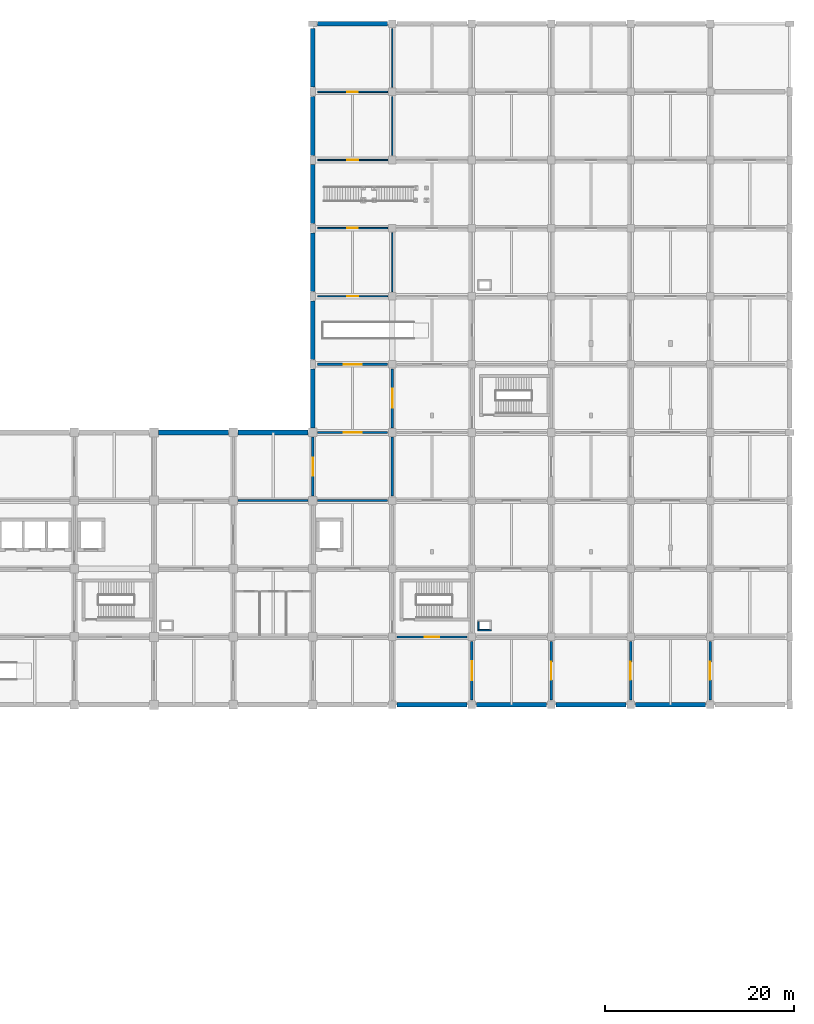
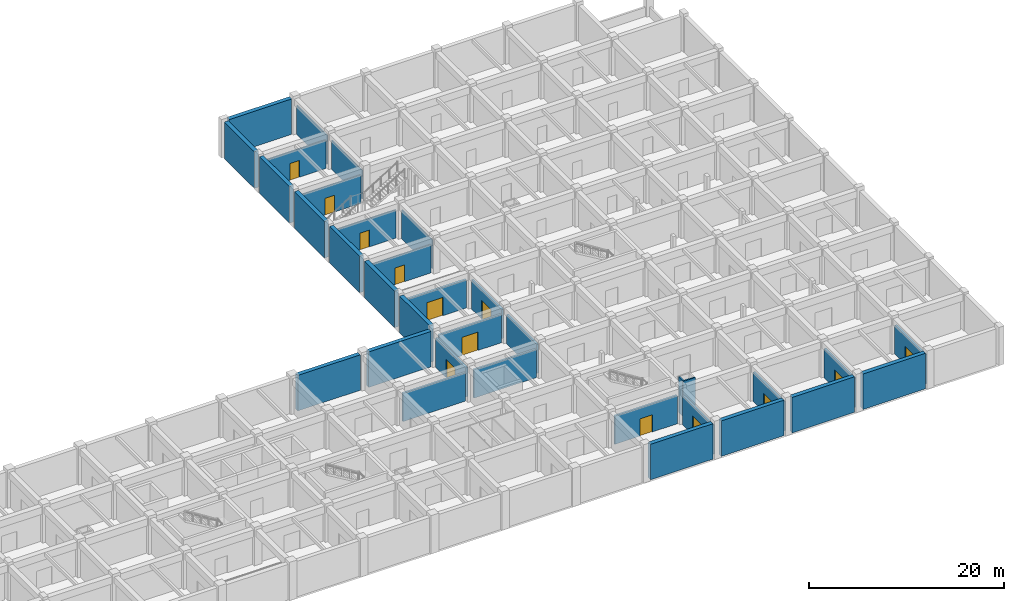
# One storey, part 25 of 32: 34 walls, 13 doors, 13 openings.
"""IFC4 building model written with IfcOpenShell, lengths in metres."""

from ifc_helpers import new_model, si_unit, derived_unit, direction, frame, frame_2d, origin, place, context, subcontext, project, spatial, rectangle, extrude, material, layer, layer_set, type_object, element, fill, save


model = new_model("IFC4")

# Units and contexts
model_context = context("Model", 3, precision=1e-05, world=origin(), true_north=direction((0.0, 1.0)))
body_context = subcontext(model_context, "Body", "Model", "MODEL_VIEW")
ifc_project = project(units=[si_unit("LENGTHUNIT", "METRE"), si_unit("AREAUNIT", "SQUARE_METRE"), si_unit("VOLUMEUNIT", "CUBIC_METRE"), si_unit("PLANEANGLEUNIT", "RADIAN"), si_unit("MASSUNIT", "GRAM", prefix="KILO"), derived_unit("THERMALTRANSMITTANCEUNIT", [(si_unit("MASSUNIT", "GRAM", prefix="KILO"), 1), (si_unit("TIMEUNIT", "SECOND"), -3), (si_unit("THERMODYNAMICTEMPERATUREUNIT", "KELVIN"), -1)])], contexts=[model_context])

# Site, building, storey
site_placement = place(None, origin())
site = spatial("IfcSite", under=ifc_project, at=site_placement, CompositionType="ELEMENT")
building_placement = place(site_placement, origin())
building = spatial("IfcBuilding", under=site, at=building_placement, Name="Veldstrom Oceanarium and Marine Research Institute", CompositionType="ELEMENT")
storey_placement = place(building_placement, frame((0.0, 0.0, -4.800048828125)))
storey = spatial("IfcBuildingStorey", under=building, at=storey_placement, Name="B01", CompositionType="ELEMENT", Elevation=-4.800048828125)

# Walls
ifc_material_1 = material(Name="Masonry Fire Compartment Wall", Category="masonry")
ifc_layer_1 = layer(ifc_material_1, 0.22998046875)
ifc_layer_set_1 = layer_set([ifc_layer_1], Name="ARC-WAL-PT1")
wall_type_1 = type_object("IfcWallType", Name="ARC-WAL-PT1", PredefinedType="PARTITIONING", material=ifc_layer_set_1)
wall_1_placement = place(storey_placement, frame((109.699951171875, 64.800048828125, 0.0), z_axis=(0.0, 0.0, 1.0), x_axis=(1.0, 0.0, 0.0)))
element("IfcWall", 1, at=wall_1_placement, inside=storey, type_object=wall_type_1, Name="Interior Partition PT1 B01-0463", PredefinedType="PARTITIONING", context=body_context, shape_type="SweptSolid", body=[
    extrude(rectangle(XDim=7.400146484375, YDim=0.22998046875, at=frame_2d((3.7001953125, 0.0))), origin(), (0.0, 0.0, 1.0), 3.545166015625),
])
wall_2_placement = place(storey_placement, frame((118.10009765625, 64.800048828125, 0.0), z_axis=(0.0, 0.0, 1.0), x_axis=(1.0, 0.0, 0.0)))
element("IfcWall", 2, at=wall_2_placement, inside=storey, type_object=wall_type_1, Name="Interior Partition PT1 B01-0470", PredefinedType="PARTITIONING", context=body_context, shape_type="SweptSolid", body=[
    extrude(rectangle(XDim=7.39990234375, YDim=0.22998046875, at=frame_2d((3.699951171875, 0.0))), origin(), (0.0, 0.0, 1.0), 3.545166015625),
])
wall_3_placement = place(storey_placement, frame((126.0, 65.300048828125, 0.0), z_axis=(0.0, 0.0, 1.0), x_axis=(0.0, 1.0, 0.0)))
element("IfcWall", 3, at=wall_3_placement, inside=storey, type_object=wall_type_1, Name="Interior Partition PT1 B01-0471", PredefinedType="PARTITIONING", context=body_context, shape_type="SweptSolid", body=[
    extrude(rectangle(XDim=6.199951171875, YDim=0.22998046875, at=frame_2d((3.10009765625, 0.0))), origin(), (0.0, 0.0, 1.0), 3.64501953125),
])

# Wall, opening, door
wall_4_placement = place(storey_placement, frame((118.10009765625, 72.0, 0.0), z_axis=(0.0, 0.0, 1.0), x_axis=(1.0, 0.0, 0.0)))
wall_4 = element("IfcWall", 4, at=wall_4_placement, inside=storey, type_object=wall_type_1, Name="Interior Partition PT1 B01-0472", PredefinedType="PARTITIONING", context=body_context, shape_type="SweptSolid", body=[
    extrude(rectangle(XDim=7.39990234375, YDim=0.22998046875, at=frame_2d((3.699951171875, 0.0))), origin(), (0.0, 0.0, 1.0), 3.545166015625),
])
opening_1_placement = place(wall_4_placement, frame((2.75, 0.0, 0.0)))
opening_1 = element("IfcOpeningElement", 5, at=opening_1_placement, cuts=wall_4, Name="Opening D-B01-274", PredefinedType="OPENING", context=body_context, shape_type="SweptSolid", body=[
    extrude(rectangle(XDim=1.89990234375, YDim=2.300048828125, at=frame_2d((0.949951171875, 1.14990234375))), frame((0.0, 0.125, 0.0), z_axis=(0.0, -1.0, 0.0), x_axis=(1.0, 0.0, 0.0)), (0.0, 0.0, 1.0), 0.25),
])
ifc_material_2 = material(Name="Plant Hall Equipment Door", Category="steel")
door_type_1 = type_object("IfcDoorType", Name="ARC-DOR-ID12", OperationType="DOUBLE_DOOR_SINGLE_SWING", PredefinedType="DOOR", material=ifc_material_2)
door_1_placement = place(opening_1_placement, origin())
door_1 = element("IfcDoor", 6, at=door_1_placement, inside=storey, type_object=door_type_1, Name="Interior Door D-B01-274", OperationType="DOUBLE_DOOR_SINGLE_SWING", OverallHeight=2.300048828125, OverallWidth=1.89990234375, PredefinedType="DOOR", context=body_context, shape_type="SweptSolid", body=[
    extrude(rectangle(XDim=1.89990234375, YDim=2.300048828125, at=frame_2d((0.949951171875, 1.14990234375))), frame((0.0, 0.02490234375, 0.0), z_axis=(0.0, -1.0, 0.0), x_axis=(1.0, 0.0, 0.0)), (0.0, 0.0, 1.0), 0.050048828125),
])
fill(opening_1, door_1)

wall_5_placement = place(storey_placement, frame((134.39990234375, 43.699951171875, 0.0), z_axis=(0.0, 0.0, 1.0), x_axis=(0.0, 1.0, 0.0)))
wall_5 = element("IfcWall", 7, at=wall_5_placement, inside=storey, type_object=wall_type_1, Name="Interior Partition PT1 B01-0482", PredefinedType="PARTITIONING", context=body_context, shape_type="SweptSolid", body=[
    extrude(rectangle(XDim=6.199951171875, YDim=0.22998046875, at=frame_2d((3.10009765625, 0.0))), origin(), (0.0, 0.0, 1.0), 3.64501953125),
])
opening_2_placement = place(wall_5_placement, frame((2.10009765625, 0.0, 0.0)))
opening_2 = element("IfcOpeningElement", 8, at=opening_2_placement, cuts=wall_5, Name="Opening D-B01-281", PredefinedType="OPENING", context=body_context, shape_type="SweptSolid", body=[
    extrude(rectangle(XDim=2.0, YDim=2.35009765625, at=frame_2d((1.0, 1.175048828125))), frame((0.0, 0.125, 0.0), z_axis=(0.0, -1.0, 0.0), x_axis=(1.0, 0.0, 0.0)), (0.0, 0.0, 1.0), 0.25),
])
ifc_material_3 = material(Name="Filtration Hall Double Door", Category="steel")
door_type_2 = type_object("IfcDoorType", Name="ARC-DOR-ID18", OperationType="DOUBLE_DOOR_SINGLE_SWING", PredefinedType="DOOR", material=ifc_material_3)
door_2_placement = place(opening_2_placement, frame((2.0, 0.0, 0.0), z_axis=(0.0, 0.0, 1.0), x_axis=(-1.0, 0.0, 0.0)))
door_2 = element("IfcDoor", 9, at=door_2_placement, inside=storey, type_object=door_type_2, Name="Interior Door D-B01-281", OperationType="DOUBLE_DOOR_SINGLE_SWING", OverallHeight=2.35009765625, OverallWidth=2.0, PredefinedType="DOOR", context=body_context, shape_type="SweptSolid", body=[
    extrude(rectangle(XDim=2.0, YDim=2.35009765625, at=frame_2d((1.0, 1.175048828125))), frame((0.0, 0.02490234375, 0.0), z_axis=(0.0, -1.0, 0.0), x_axis=(1.0, 0.0, 0.0)), (0.0, 0.0, 1.0), 0.050048828125),
])
fill(opening_2, door_2)

wall_6_placement = place(storey_placement, frame((126.5, 50.39990234375, 0.0), z_axis=(0.0, 0.0, 1.0), x_axis=(1.0, 0.0, 0.0)))
wall_6 = element("IfcWall", 10, at=wall_6_placement, inside=storey, type_object=wall_type_1, Name="Interior Partition PT1 B01-0483", PredefinedType="PARTITIONING", context=body_context, shape_type="SweptSolid", body=[
    extrude(rectangle(XDim=7.39990234375, YDim=0.22998046875, at=frame_2d((3.699951171875, 0.0))), origin(), (0.0, 0.0, 1.0), 3.545166015625),
])
opening_3_placement = place(wall_6_placement, frame((2.949951171875, 0.0, 0.0)))
opening_3 = element("IfcOpeningElement", 11, at=opening_3_placement, cuts=wall_6, Name="Opening D-B01-282", PredefinedType="OPENING", context=body_context, shape_type="SweptSolid", body=[
    extrude(rectangle(XDim=1.5, YDim=2.14990234375, at=frame_2d((0.75, 1.074951171875))), frame((0.0, 0.125, 0.0), z_axis=(0.0, -1.0, 0.0), x_axis=(1.0, 0.0, 0.0)), (0.0, 0.0, 1.0), 0.25),
])
ifc_material_4 = material(Name="Painted Steel Lobby Fire Door", Category="steel")
door_type_3 = type_object("IfcDoorType", Name="ARC-DOR-SD2", OperationType="DOUBLE_DOOR_SINGLE_SWING", PredefinedType="DOOR", material=ifc_material_4)
door_3_placement = place(opening_3_placement, frame((1.5, 0.0, 0.0), z_axis=(0.0, 0.0, 1.0), x_axis=(-1.0, 0.0, 0.0)))
door_3 = element("IfcDoor", 12, at=door_3_placement, inside=storey, type_object=door_type_3, Name="Interior Door D-B01-282", OperationType="DOUBLE_DOOR_SINGLE_SWING", OverallHeight=2.14990234375, OverallWidth=1.5, PredefinedType="DOOR", context=body_context, shape_type="SweptSolid", body=[
    extrude(rectangle(XDim=1.5, YDim=2.14990234375, at=frame_2d((0.75, 1.074951171875))), frame((0.0, 0.02490234375, 0.0), z_axis=(0.0, -1.0, 0.0), x_axis=(1.0, 0.0, 0.0)), (0.0, 0.0, 1.0), 0.050048828125),
])
fill(opening_3, door_3)

wall_7_placement = place(storey_placement, frame((151.199951171875, 43.699951171875, 0.0), z_axis=(0.0, 0.0, 1.0), x_axis=(0.0, 1.0, 0.0)))
wall_7 = element("IfcWall", 13, at=wall_7_placement, inside=storey, type_object=wall_type_1, Name="Interior Partition PT1 B01-0520", PredefinedType="PARTITIONING", context=body_context, shape_type="SweptSolid", body=[
    extrude(rectangle(XDim=6.199951171875, YDim=0.22998046875, at=frame_2d((3.10009765625, 0.0))), origin(), (0.0, 0.0, 1.0), 3.64501953125),
])
opening_4_placement = place(wall_7_placement, frame((2.14990234375, 0.0, 0.0)))
opening_4 = element("IfcOpeningElement", 14, at=opening_4_placement, cuts=wall_7, Name="Opening D-B01-302", PredefinedType="OPENING", context=body_context, shape_type="SweptSolid", body=[
    extrude(rectangle(XDim=1.89990234375, YDim=2.300048828125, at=frame_2d((0.949951171875, 1.14990234375))), frame((0.0, 0.125, 0.0), z_axis=(0.0, -1.0, 0.0), x_axis=(1.0, 0.0, 0.0)), (0.0, 0.0, 1.0), 0.25),
])
door_4_placement = place(opening_4_placement, frame((1.89990234375, 0.0, 0.0), z_axis=(0.0, 0.0, 1.0), x_axis=(-1.0, 0.0, 0.0)))
door_4 = element("IfcDoor", 15, at=door_4_placement, inside=storey, type_object=door_type_1, Name="Interior Door D-B01-302", OperationType="DOUBLE_DOOR_SINGLE_SWING", OverallHeight=2.300048828125, OverallWidth=1.89990234375, PredefinedType="DOOR", context=body_context, shape_type="SweptSolid", body=[
    extrude(rectangle(XDim=1.89990234375, YDim=2.300048828125, at=frame_2d((0.949951171875, 1.14990234375))), frame((0.0, 0.02490234375, 0.0), z_axis=(0.0, -1.0, 0.0), x_axis=(1.0, 0.0, 0.0)), (0.0, 0.0, 1.0), 0.050048828125),
])
fill(opening_4, door_4)

ifc_material_5 = material(Name="Drywall Corridor Partition", Category="gypsum")
ifc_layer_2 = layer(ifc_material_5, 0.155029296875)
ifc_layer_set_2 = layer_set([ifc_layer_2], Name="ARC-WAL-PT4")
wall_type_2 = type_object("IfcWallType", Name="ARC-WAL-PT4", PredefinedType="PARTITIONING", material=ifc_layer_set_2)
wall_8_placement = place(storey_placement, frame((118.10009765625, 93.60009765625, 0.0), z_axis=(0.0, 0.0, 1.0), x_axis=(1.0, 0.0, 0.0)))
wall_8 = element("IfcWall", 16, at=wall_8_placement, inside=storey, type_object=wall_type_2, Name="Interior Partition PT4 B01-0477", PredefinedType="PARTITIONING", context=body_context, shape_type="SweptSolid", body=[
    extrude(rectangle(XDim=7.39990234375, YDim=0.155029296875, at=frame_2d((3.699951171875, 0.0))), origin(), (0.0, 0.0, 1.0), 3.545166015625),
])
opening_5_placement = place(wall_8_placement, frame((3.14990234375, 0.0, 0.0)))
opening_5 = element("IfcOpeningElement", 17, at=opening_5_placement, cuts=wall_8, Name="Opening D-B01-278", PredefinedType="OPENING", context=body_context, shape_type="SweptSolid", body=[
    extrude(rectangle(XDim=1.10009765625, YDim=2.10009765625, at=frame_2d((0.550048828125, 1.050048828125))), frame((0.0, 0.08740234375, 0.0), z_axis=(0.0, -1.0, 0.0), x_axis=(1.0, 0.0, 0.0)), (0.0, 0.0, 1.0), 0.175048828125),
])
ifc_material_6 = material(Name="Research Office Door", Category="timber")
door_type_4 = type_object("IfcDoorType", Name="ARC-DOR-ID07", OperationType="SINGLE_SWING_LEFT", PredefinedType="DOOR", material=ifc_material_6)
door_5_placement = place(opening_5_placement, frame((1.10009765625, 0.0, 0.0), z_axis=(0.0, 0.0, 1.0), x_axis=(-1.0, 0.0, 0.0)))
door_5 = element("IfcDoor", 18, at=door_5_placement, inside=storey, type_object=door_type_4, Name="Interior Door D-B01-278", OperationType="SINGLE_SWING_LEFT", OverallHeight=2.10009765625, OverallWidth=1.10009765625, PredefinedType="DOOR", context=body_context, shape_type="SweptSolid", body=[
    extrude(rectangle(XDim=1.10009765625, YDim=2.10009765625, at=frame_2d((0.550048828125, 1.050048828125))), frame((0.0, 0.02490234375, 0.0), z_axis=(0.0, -1.0, 0.0), x_axis=(1.0, 0.0, 0.0)), (0.0, 0.0, 1.0), 0.050048828125),
])
fill(opening_5, door_5)

wall_9_placement = place(storey_placement, frame((118.10009765625, 108.0, 0.0), z_axis=(0.0, 0.0, 1.0), x_axis=(1.0, 0.0, 0.0)))
wall_9 = element("IfcWall", 19, at=wall_9_placement, inside=storey, type_object=wall_type_2, Name="Interior Partition PT4 B01-0480", PredefinedType="PARTITIONING", context=body_context, shape_type="SweptSolid", body=[
    extrude(rectangle(XDim=7.39990234375, YDim=0.155029296875, at=frame_2d((3.699951171875, 0.0))), origin(), (0.0, 0.0, 1.0), 3.545166015625),
])
opening_6_placement = place(wall_9_placement, frame((3.14990234375, 0.0, 0.0)))
opening_6 = element("IfcOpeningElement", 20, at=opening_6_placement, cuts=wall_9, Name="Opening D-B01-280", PredefinedType="OPENING", context=body_context, shape_type="SweptSolid", body=[
    extrude(rectangle(XDim=1.10009765625, YDim=2.10009765625, at=frame_2d((0.550048828125, 1.050048828125))), frame((0.0, 0.08740234375, 0.0), z_axis=(0.0, -1.0, 0.0), x_axis=(1.0, 0.0, 0.0)), (0.0, 0.0, 1.0), 0.175048828125),
])
door_6_placement = place(opening_6_placement, frame((1.10009765625, 0.0, 0.0), z_axis=(0.0, 0.0, 1.0), x_axis=(-1.0, 0.0, 0.0)))
door_6 = element("IfcDoor", 21, at=door_6_placement, inside=storey, type_object=door_type_4, Name="Interior Door D-B01-280", OperationType="SINGLE_SWING_LEFT", OverallHeight=2.10009765625, OverallWidth=1.10009765625, PredefinedType="DOOR", context=body_context, shape_type="SweptSolid", body=[
    extrude(rectangle(XDim=1.10009765625, YDim=2.10009765625, at=frame_2d((0.550048828125, 1.050048828125))), frame((0.0, 0.02490234375, 0.0), z_axis=(0.0, -1.0, 0.0), x_axis=(1.0, 0.0, 0.0)), (0.0, 0.0, 1.0), 0.050048828125),
])
fill(opening_6, door_6)

ifc_material_7 = material(Name="Moisture-Resistant Wet-Area Partition", Category="masonry")
ifc_layer_3 = layer(ifc_material_7, 0.139892578125)
ifc_layer_set_3 = layer_set([ifc_layer_3], Name="ARC-WAL-PT5")
wall_type_3 = type_object("IfcWallType", Name="ARC-WAL-PT5", PredefinedType="PARTITIONING", material=ifc_layer_set_3)
wall_10_placement = place(storey_placement, frame((118.10009765625, 86.39990234375, 0.0), z_axis=(0.0, 0.0, 1.0), x_axis=(1.0, 0.0, 0.0)))
wall_10 = element("IfcWall", 22, at=wall_10_placement, inside=storey, type_object=wall_type_3, Name="Interior Partition PT5 B01-0475", PredefinedType="PARTITIONING", context=body_context, shape_type="SweptSolid", body=[
    extrude(rectangle(XDim=7.39990234375, YDim=0.139892578125, at=frame_2d((3.699951171875, 0.0))), origin(), (0.0, 0.0, 1.0), 3.545166015625),
])
opening_7_placement = place(wall_10_placement, frame((3.125, 0.0, 0.0)))
opening_7 = element("IfcOpeningElement", 23, at=opening_7_placement, cuts=wall_10, Name="Opening D-B01-277", PredefinedType="OPENING", context=body_context, shape_type="SweptSolid", body=[
    extrude(rectangle(XDim=1.14990234375, YDim=2.10009765625, at=frame_2d((0.574951171875, 1.050048828125))), frame((0.0, 0.079833984375, 0.0), z_axis=(0.0, -1.0, 0.0), x_axis=(1.0, 0.0, 0.0)), (0.0, 0.0, 1.0), 0.159912109375),
])
ifc_material_8 = material(Name="Fellows Studio Door", Category="timber")
door_type_5 = type_object("IfcDoorType", Name="ARC-DOR-ID17", OperationType="SINGLE_SWING_LEFT", PredefinedType="DOOR", material=ifc_material_8)
door_7_placement = place(opening_7_placement, origin())
door_7 = element("IfcDoor", 24, at=door_7_placement, inside=storey, type_object=door_type_5, Name="Interior Door D-B01-277", OperationType="SINGLE_SWING_LEFT", OverallHeight=2.10009765625, OverallWidth=1.14990234375, PredefinedType="DOOR", context=body_context, shape_type="SweptSolid", body=[
    extrude(rectangle(XDim=1.14990234375, YDim=2.10009765625, at=frame_2d((0.574951171875, 1.050048828125))), frame((0.0, 0.02490234375, 0.0), z_axis=(0.0, -1.0, 0.0), x_axis=(1.0, 0.0, 0.0)), (0.0, 0.0, 1.0), 0.050048828125),
])
fill(opening_7, door_7)

wall_11_placement = place(storey_placement, frame((118.10009765625, 100.800048828125, 0.0), z_axis=(0.0, 0.0, 1.0), x_axis=(1.0, 0.0, 0.0)))
wall_11 = element("IfcWall", 25, at=wall_11_placement, inside=storey, type_object=wall_type_3, Name="Interior Partition PT5 B01-0478", PredefinedType="PARTITIONING", context=body_context, shape_type="SweptSolid", body=[
    extrude(rectangle(XDim=7.39990234375, YDim=0.139892578125, at=frame_2d((3.699951171875, 0.0))), origin(), (0.0, 0.0, 1.0), 3.545166015625),
])
opening_8_placement = place(wall_11_placement, frame((3.125, 0.0, 0.0)))
opening_8 = element("IfcOpeningElement", 26, at=opening_8_placement, cuts=wall_11, Name="Opening D-B01-279", PredefinedType="OPENING", context=body_context, shape_type="SweptSolid", body=[
    extrude(rectangle(XDim=1.14990234375, YDim=2.10009765625, at=frame_2d((0.574951171875, 1.050048828125))), frame((0.0, 0.079833984375, 0.0), z_axis=(0.0, -1.0, 0.0), x_axis=(1.0, 0.0, 0.0)), (0.0, 0.0, 1.0), 0.159912109375),
])
door_8_placement = place(opening_8_placement, origin())
door_8 = element("IfcDoor", 27, at=door_8_placement, inside=storey, type_object=door_type_5, Name="Interior Door D-B01-279", OperationType="SINGLE_SWING_LEFT", OverallHeight=2.10009765625, OverallWidth=1.14990234375, PredefinedType="DOOR", context=body_context, shape_type="SweptSolid", body=[
    extrude(rectangle(XDim=1.14990234375, YDim=2.10009765625, at=frame_2d((0.574951171875, 1.050048828125))), frame((0.0, 0.02490234375, 0.0), z_axis=(0.0, -1.0, 0.0), x_axis=(1.0, 0.0, 0.0)), (0.0, 0.0, 1.0), 0.050048828125),
])
fill(opening_8, door_8)

# Walls
ifc_material_9 = material(Name="Lightweight Studio Partition", Category="gypsum")
ifc_layer_4 = layer(ifc_material_9, 0.1201171875)
ifc_layer_set_4 = layer_set([ifc_layer_4], Name="ARC-WAL-PT6")
wall_type_4 = type_object("IfcWallType", Name="ARC-WAL-PT6", PredefinedType="PARTITIONING", material=ifc_layer_set_4)
wall_12_placement = place(storey_placement, frame((126.0, 86.89990234375, 0.0), z_axis=(0.0, 0.0, 1.0), x_axis=(0.0, 1.0, 0.0)))
element("IfcWall", 28, at=wall_12_placement, inside=storey, type_object=wall_type_4, Name="Interior Partition PT6 B01-0476", PredefinedType="PARTITIONING", context=body_context, shape_type="SweptSolid", body=[
    extrude(rectangle(XDim=6.2001953125, YDim=0.1201171875, at=frame_2d((3.10009765625, 0.0))), origin(), (0.0, 0.0, 1.0), 3.64501953125),
])
for number, where, z_axis, x_axis, name in (
    (29, (126.0, 101.300048828125, 0.0), (0.0, 0.0, 1.0), (0.0, 1.0, 0.0), "Interior Partition PT6 B01-0479"),
    (30, (126.0, 108.5, 0.0), (0.0, 0.0, 1.0), (0.0, 1.0, 0.0), "Interior Partition PT6 B01-0481"),
):
    element("IfcWall", number, at=place(storey_placement, frame(where, z_axis=z_axis, x_axis=x_axis)), inside=storey, type_object=wall_type_4, Name=name, PredefinedType="PARTITIONING", context=body_context, shape_type="SweptSolid", body=[
        extrude(rectangle(XDim=6.199951171875, YDim=0.1201171875, at=frame_2d((3.10009765625, 0.0))), origin(), (0.0, 0.0, 1.0), 3.64501953125),
    ])

# Wall, opening, door
ifc_material_10 = material(Name="Plant Acoustic Masonry Wall", Category="masonry")
ifc_layer_5 = layer(ifc_material_10, 0.260009765625)
ifc_layer_set_5 = layer_set([ifc_layer_5], Name="ARC-WAL-PT8")
wall_type_5 = type_object("IfcWallType", Name="ARC-WAL-PT8", PredefinedType="PARTITIONING", material=ifc_layer_set_5)
wall_13_placement = place(storey_placement, frame((117.60009765625, 65.300048828125, 0.0), z_axis=(0.0, 0.0, 1.0), x_axis=(0.0, 1.0, 0.0)))
wall_13 = element("IfcWall", 31, at=wall_13_placement, inside=storey, type_object=wall_type_5, Name="Interior Partition PT8 B01-0464", PredefinedType="PARTITIONING", context=body_context, shape_type="SweptSolid", body=[
    extrude(rectangle(XDim=6.199951171875, YDim=0.260009765625, at=frame_2d((3.10009765625, 0.0))), origin(), (0.0, 0.0, 1.0), 3.64501953125),
])
opening_9_placement = place(wall_13_placement, frame((2.14990234375, 0.0, 0.0)))
opening_9 = element("IfcOpeningElement", 32, at=opening_9_placement, cuts=wall_13, Name="Opening D-B01-270", PredefinedType="OPENING", context=body_context, shape_type="SweptSolid", body=[
    extrude(rectangle(XDim=1.89990234375, YDim=2.300048828125, at=frame_2d((0.949951171875, 1.14990234375))), frame((0.0, 0.139892578125, 0.0), z_axis=(0.0, -1.0, 0.0), x_axis=(1.0, 0.0, 0.0)), (0.0, 0.0, 1.0), 0.280029296875),
])
door_9_placement = place(opening_9_placement, origin())
door_9 = element("IfcDoor", 33, at=door_9_placement, inside=storey, type_object=door_type_1, Name="Interior Door D-B01-270", OperationType="DOUBLE_DOOR_SINGLE_SWING", OverallHeight=2.300048828125, OverallWidth=1.89990234375, PredefinedType="DOOR", context=body_context, shape_type="SweptSolid", body=[
    extrude(rectangle(XDim=1.89990234375, YDim=2.300048828125, at=frame_2d((0.949951171875, 1.14990234375))), frame((0.0, 0.02490234375, 0.0), z_axis=(0.0, -1.0, 0.0), x_axis=(1.0, 0.0, 0.0)), (0.0, 0.0, 1.0), 0.050048828125),
])
fill(opening_9, door_9)

wall_14_placement = place(storey_placement, frame((126.0, 72.5, 0.0), z_axis=(0.0, 0.0, 1.0), x_axis=(0.0, 1.0, 0.0)))
wall_14 = element("IfcWall", 34, at=wall_14_placement, inside=storey, type_object=wall_type_5, Name="Interior Partition PT8 B01-0473", PredefinedType="PARTITIONING", context=body_context, shape_type="SweptSolid", body=[
    extrude(rectangle(XDim=6.199951171875, YDim=0.260009765625, at=frame_2d((3.10009765625, 0.0))), origin(), (0.0, 0.0, 1.0), 3.64501953125),
])
opening_10_placement = place(wall_14_placement, frame((2.10009765625, 0.0, 0.0)))
opening_10 = element("IfcOpeningElement", 35, at=opening_10_placement, cuts=wall_14, Name="Opening D-B01-275", PredefinedType="OPENING", context=body_context, shape_type="SweptSolid", body=[
    extrude(rectangle(XDim=2.0, YDim=2.35009765625, at=frame_2d((1.0, 1.175048828125))), frame((0.0, 0.139892578125, 0.0), z_axis=(0.0, -1.0, 0.0), x_axis=(1.0, 0.0, 0.0)), (0.0, 0.0, 1.0), 0.280029296875),
])
door_10_placement = place(opening_10_placement, origin())
door_10 = element("IfcDoor", 36, at=door_10_placement, inside=storey, type_object=door_type_2, Name="Interior Door D-B01-275", OperationType="DOUBLE_DOOR_SINGLE_SWING", OverallHeight=2.35009765625, OverallWidth=2.0, PredefinedType="DOOR", context=body_context, shape_type="SweptSolid", body=[
    extrude(rectangle(XDim=2.0, YDim=2.35009765625, at=frame_2d((1.0, 1.175048828125))), frame((0.0, 0.02490234375, 0.0), z_axis=(0.0, -1.0, 0.0), x_axis=(1.0, 0.0, 0.0)), (0.0, 0.0, 1.0), 0.050048828125),
])
fill(opening_10, door_10)

wall_15_placement = place(storey_placement, frame((118.10009765625, 79.199951171875, 0.0), z_axis=(0.0, 0.0, 1.0), x_axis=(1.0, 0.0, 0.0)))
wall_15 = element("IfcWall", 37, at=wall_15_placement, inside=storey, type_object=wall_type_5, Name="Interior Partition PT8 B01-0474", PredefinedType="PARTITIONING", context=body_context, shape_type="SweptSolid", body=[
    extrude(rectangle(XDim=7.39990234375, YDim=0.260009765625, at=frame_2d((3.699951171875, 0.0))), origin(), (0.0, 0.0, 1.0), 3.545166015625),
])
opening_11_placement = place(wall_15_placement, frame((2.75, 0.0, 0.0)))
opening_11 = element("IfcOpeningElement", 38, at=opening_11_placement, cuts=wall_15, Name="Opening D-B01-276", PredefinedType="OPENING", context=body_context, shape_type="SweptSolid", body=[
    extrude(rectangle(XDim=1.89990234375, YDim=2.300048828125, at=frame_2d((0.949951171875, 1.14990234375))), frame((0.0, 0.139892578125, 0.0), z_axis=(0.0, -1.0, 0.0), x_axis=(1.0, 0.0, 0.0)), (0.0, 0.0, 1.0), 0.280029296875),
])
door_11_placement = place(opening_11_placement, frame((1.89990234375, 0.0, 0.0), z_axis=(0.0, 0.0, 1.0), x_axis=(-1.0, 0.0, 0.0)))
door_11 = element("IfcDoor", 39, at=door_11_placement, inside=storey, type_object=door_type_1, Name="Interior Door D-B01-276", OperationType="DOUBLE_DOOR_SINGLE_SWING", OverallHeight=2.300048828125, OverallWidth=1.89990234375, PredefinedType="DOOR", context=body_context, shape_type="SweptSolid", body=[
    extrude(rectangle(XDim=1.89990234375, YDim=2.300048828125, at=frame_2d((0.949951171875, 1.14990234375))), frame((0.0, 0.02490234375, 0.0), z_axis=(0.0, -1.0, 0.0), x_axis=(1.0, 0.0, 0.0)), (0.0, 0.0, 1.0), 0.050048828125),
])
fill(opening_11, door_11)

wall_16_placement = place(storey_placement, frame((142.800048828125, 43.699951171875, 0.0), z_axis=(0.0, 0.0, 1.0), x_axis=(0.0, 1.0, 0.0)))
wall_16 = element("IfcWall", 40, at=wall_16_placement, inside=storey, type_object=wall_type_5, Name="Interior Partition PT8 B01-0501", PredefinedType="PARTITIONING", context=body_context, shape_type="SweptSolid", body=[
    extrude(rectangle(XDim=6.199951171875, YDim=0.260009765625, at=frame_2d((3.10009765625, 0.0))), origin(), (0.0, 0.0, 1.0), 3.64501953125),
])
opening_12_placement = place(wall_16_placement, frame((2.14990234375, 0.0, 0.0)))
opening_12 = element("IfcOpeningElement", 41, at=opening_12_placement, cuts=wall_16, Name="Opening D-B01-292", PredefinedType="OPENING", context=body_context, shape_type="SweptSolid", body=[
    extrude(rectangle(XDim=1.89990234375, YDim=2.300048828125, at=frame_2d((0.949951171875, 1.14990234375))), frame((0.0, 0.139892578125, 0.0), z_axis=(0.0, -1.0, 0.0), x_axis=(1.0, 0.0, 0.0)), (0.0, 0.0, 1.0), 0.280029296875),
])
door_12_placement = place(opening_12_placement, origin())
door_12 = element("IfcDoor", 42, at=door_12_placement, inside=storey, type_object=door_type_1, Name="Interior Door D-B01-292", OperationType="DOUBLE_DOOR_SINGLE_SWING", OverallHeight=2.300048828125, OverallWidth=1.89990234375, PredefinedType="DOOR", context=body_context, shape_type="SweptSolid", body=[
    extrude(rectangle(XDim=1.89990234375, YDim=2.300048828125, at=frame_2d((0.949951171875, 1.14990234375))), frame((0.0, 0.02490234375, 0.0), z_axis=(0.0, -1.0, 0.0), x_axis=(1.0, 0.0, 0.0)), (0.0, 0.0, 1.0), 0.050048828125),
])
fill(opening_12, door_12)

wall_17_placement = place(storey_placement, frame((159.60009765625, 43.699951171875, 0.0), z_axis=(0.0, 0.0, 1.0), x_axis=(0.0, 1.0, 0.0)))
wall_17 = element("IfcWall", 43, at=wall_17_placement, inside=storey, type_object=wall_type_5, Name="Interior Partition PT8 B01-0539", PredefinedType="PARTITIONING", context=body_context, shape_type="SweptSolid", body=[
    extrude(rectangle(XDim=6.199951171875, YDim=0.260009765625, at=frame_2d((3.10009765625, 0.0))), origin(), (0.0, 0.0, 1.0), 3.64501953125),
])
opening_13_placement = place(wall_17_placement, frame((2.14990234375, 0.0, 0.0)))
opening_13 = element("IfcOpeningElement", 44, at=opening_13_placement, cuts=wall_17, Name="Opening D-B01-312", PredefinedType="OPENING", context=body_context, shape_type="SweptSolid", body=[
    extrude(rectangle(XDim=1.89990234375, YDim=2.300048828125, at=frame_2d((0.949951171875, 1.14990234375))), frame((0.0, 0.139892578125, 0.0), z_axis=(0.0, -1.0, 0.0), x_axis=(1.0, 0.0, 0.0)), (0.0, 0.0, 1.0), 0.280029296875),
])
door_13_placement = place(opening_13_placement, origin())
door_13 = element("IfcDoor", 45, at=door_13_placement, inside=storey, type_object=door_type_1, Name="Interior Door D-B01-312", OperationType="DOUBLE_DOOR_SINGLE_SWING", OverallHeight=2.300048828125, OverallWidth=1.89990234375, PredefinedType="DOOR", context=body_context, shape_type="SweptSolid", body=[
    extrude(rectangle(XDim=1.89990234375, YDim=2.300048828125, at=frame_2d((0.949951171875, 1.14990234375))), frame((0.0, 0.02490234375, 0.0), z_axis=(0.0, -1.0, 0.0), x_axis=(1.0, 0.0, 0.0)), (0.0, 0.0, 1.0), 0.050048828125),
])
fill(opening_13, door_13)

# Walls
ifc_material_11 = material(Name="Service Riser Fire Shaft Wall", Category="masonry")
ifc_layer_6 = layer(ifc_material_11, 0.1650390625)
ifc_layer_set_6 = layer_set([ifc_layer_6], Name="ARC-WAL-PT9")
wall_type_6 = type_object("IfcWallType", Name="ARC-WAL-PT9", PredefinedType="PARTITIONING", material=ifc_layer_set_6)
wall_18_placement = place(storey_placement, frame((135.034912109375, 51.117431640625, 0.0), z_axis=(0.0, 0.0, 1.0), x_axis=(1.0, 0.0, 0.0)))
element("IfcWall", 46, at=wall_18_placement, inside=storey, type_object=wall_type_6, Name="Service Riser Fire Shaft Wall B01-ES-S", PredefinedType="PARTITIONING", context=body_context, shape_type="SweptSolid", body=[
    extrude(rectangle(XDim=1.43017578125, YDim=0.1650390625, at=frame_2d((0.715087890625, 0.0))), origin(), (0.0, 0.0, 1.0), 4.449951171875),
])
wall_19_placement = place(storey_placement, frame((135.117431640625, 51.199951171875, 0.0), z_axis=(0.0, 0.0, 1.0), x_axis=(0.0, 1.0, 0.0)))
element("IfcWall", 47, at=wall_19_placement, inside=storey, type_object=wall_type_6, Name="Service Riser Fire Shaft Wall B01-ES-W", PredefinedType="PARTITIONING", context=body_context, shape_type="SweptSolid", body=[
    extrude(rectangle(XDim=0.800048828125, YDim=0.1650390625, at=frame_2d((0.39990234375, 0.0))), origin(), (0.0, 0.0, 1.0), 4.449951171875),
])
ifc_material_12 = material(Name="Concrete C40/50", Category="concrete")
ifc_layer_7 = layer(ifc_material_12, 0.47998046875)
ifc_layer_set_7 = layer_set([ifc_layer_7], Name="STR-WAL-WR2")
wall_type_7 = type_object("IfcWallType", Name="STR-WAL-WR2", PredefinedType="USERDEFINED", material=ifc_layer_set_7)
wall_20_placement = place(storey_placement, frame((101.300048828125, 72.0, 0.0), z_axis=(0.0, 0.0, 1.0), x_axis=(1.0, 0.0, 0.0)))
element("IfcWall", 48, at=wall_20_placement, inside=storey, type_object=wall_type_7, Name="Basement Retaining Wall WR2-B01-042", ObjectType="Retaining wall", PredefinedType="USERDEFINED", context=body_context, shape_type="SweptSolid", body=[
    extrude(rectangle(XDim=7.39990234375, YDim=0.47998046875, at=frame_2d((3.699951171875, 0.0))), origin(), (0.0, 0.0, 1.0), 4.449951171875),
])
wall_21_placement = place(storey_placement, frame((109.699951171875, 72.0, 0.0), z_axis=(0.0, 0.0, 1.0), x_axis=(1.0, 0.0, 0.0)))
element("IfcWall", 49, at=wall_21_placement, inside=storey, type_object=wall_type_7, Name="Basement Retaining Wall WR2-B01-044", ObjectType="Retaining wall", PredefinedType="USERDEFINED", context=body_context, shape_type="SweptSolid", body=[
    extrude(rectangle(XDim=7.400146484375, YDim=0.47998046875, at=frame_2d((3.7001953125, 0.0))), origin(), (0.0, 0.0, 1.0), 4.449951171875),
])
for number, where, z_axis, x_axis, name in (
    (50, (117.60009765625, 72.5, 0.0), (0.0, 0.0, 1.0), (0.0, 1.0, 0.0), "Basement Retaining Wall WR2-B01-046"),
    (51, (117.60009765625, 79.699951171875, 0.0), (0.0, 0.0, 1.0), (0.0, 1.0, 0.0), "Basement Retaining Wall WR2-B01-047"),
):
    element("IfcWall", number, at=place(storey_placement, frame(where, z_axis=z_axis, x_axis=x_axis)), inside=storey, type_object=wall_type_7, Name=name, ObjectType="Retaining wall", PredefinedType="USERDEFINED", context=body_context, shape_type="SweptSolid", body=[
        extrude(rectangle(XDim=6.199951171875, YDim=0.47998046875, at=frame_2d((3.10009765625, 0.0))), origin(), (0.0, 0.0, 1.0), 4.574951171875),
    ])
wall_22_placement = place(storey_placement, frame((117.60009765625, 86.89990234375, 0.0), z_axis=(0.0, 0.0, 1.0), x_axis=(0.0, 1.0, 0.0)))
element("IfcWall", 52, at=wall_22_placement, inside=storey, type_object=wall_type_7, Name="Basement Retaining Wall WR2-B01-048", ObjectType="Retaining wall", PredefinedType="USERDEFINED", context=body_context, shape_type="SweptSolid", body=[
    extrude(rectangle(XDim=6.2001953125, YDim=0.47998046875, at=frame_2d((3.10009765625, 0.0))), origin(), (0.0, 0.0, 1.0), 4.574951171875),
])
for number, where, z_axis, x_axis, name in (
    (53, (117.60009765625, 94.10009765625, 0.0), (0.0, 0.0, 1.0), (0.0, 1.0, 0.0), "Basement Retaining Wall WR2-B01-049"),
    (54, (117.60009765625, 101.300048828125, 0.0), (0.0, 0.0, 1.0), (0.0, 1.0, 0.0), "Basement Retaining Wall WR2-B01-050"),
):
    element("IfcWall", number, at=place(storey_placement, frame(where, z_axis=z_axis, x_axis=x_axis)), inside=storey, type_object=wall_type_7, Name=name, ObjectType="Retaining wall", PredefinedType="USERDEFINED", context=body_context, shape_type="SweptSolid", body=[
        extrude(rectangle(XDim=6.199951171875, YDim=0.47998046875, at=frame_2d((3.10009765625, 0.0))), origin(), (0.0, 0.0, 1.0), 4.574951171875),
    ])
wall_23_placement = place(storey_placement, frame((118.10009765625, 115.199951171875, 0.0), z_axis=(0.0, 0.0, 1.0), x_axis=(1.0, 0.0, 0.0)))
element("IfcWall", 55, at=wall_23_placement, inside=storey, type_object=wall_type_7, Name="Basement Retaining Wall WR2-B01-051", ObjectType="Retaining wall", PredefinedType="USERDEFINED", context=body_context, shape_type="SweptSolid", body=[
    extrude(rectangle(XDim=7.39990234375, YDim=0.47998046875, at=frame_2d((3.699951171875, 0.0))), origin(), (0.0, 0.0, 1.0), 4.449951171875),
])
wall_24_placement = place(storey_placement, frame((117.60009765625, 108.5, 0.0), z_axis=(0.0, 0.0, 1.0), x_axis=(0.0, 1.0, 0.0)))
element("IfcWall", 56, at=wall_24_placement, inside=storey, type_object=wall_type_7, Name="Basement Retaining Wall WR2-B01-052", ObjectType="Retaining wall", PredefinedType="USERDEFINED", context=body_context, shape_type="SweptSolid", body=[
    extrude(rectangle(XDim=6.199951171875, YDim=0.47998046875, at=frame_2d((3.10009765625, 0.0))), origin(), (0.0, 0.0, 1.0), 4.574951171875),
])
wall_25_placement = place(storey_placement, frame((126.5, 43.199951171875, 0.0), z_axis=(0.0, 0.0, 1.0), x_axis=(1.0, 0.0, 0.0)))
element("IfcWall", 57, at=wall_25_placement, inside=storey, type_object=wall_type_7, Name="Basement Retaining Wall WR2-B01-053", ObjectType="Retaining wall", PredefinedType="USERDEFINED", context=body_context, shape_type="SweptSolid", body=[
    extrude(rectangle(XDim=7.39990234375, YDim=0.47998046875, at=frame_2d((3.699951171875, 0.0))), origin(), (0.0, 0.0, 1.0), 4.449951171875),
])
wall_26_placement = place(storey_placement, frame((134.89990234375, 43.199951171875, 0.0), z_axis=(0.0, 0.0, 1.0), x_axis=(1.0, 0.0, 0.0)))
element("IfcWall", 58, at=wall_26_placement, inside=storey, type_object=wall_type_7, Name="Basement Retaining Wall WR2-B01-055", ObjectType="Retaining wall", PredefinedType="USERDEFINED", context=body_context, shape_type="SweptSolid", body=[
    extrude(rectangle(XDim=7.400146484375, YDim=0.47998046875, at=frame_2d((3.7001953125, 0.0))), origin(), (0.0, 0.0, 1.0), 4.449951171875),
])
wall_27_placement = place(storey_placement, frame((143.300048828125, 43.199951171875, 0.0), z_axis=(0.0, 0.0, 1.0), x_axis=(1.0, 0.0, 0.0)))
element("IfcWall", 59, at=wall_27_placement, inside=storey, type_object=wall_type_7, Name="Basement Retaining Wall WR2-B01-057", ObjectType="Retaining wall", PredefinedType="USERDEFINED", context=body_context, shape_type="SweptSolid", body=[
    extrude(rectangle(XDim=7.39990234375, YDim=0.47998046875, at=frame_2d((3.699951171875, 0.0))), origin(), (0.0, 0.0, 1.0), 4.449951171875),
])
wall_28_placement = place(storey_placement, frame((151.699951171875, 43.199951171875, 0.0), z_axis=(0.0, 0.0, 1.0), x_axis=(1.0, 0.0, 0.0)))
element("IfcWall", 60, at=wall_28_placement, inside=storey, type_object=wall_type_7, Name="Basement Retaining Wall WR2-B01-059", ObjectType="Retaining wall", PredefinedType="USERDEFINED", context=body_context, shape_type="SweptSolid", body=[
    extrude(rectangle(XDim=7.400146484375, YDim=0.47998046875, at=frame_2d((3.7001953125, 0.0))), origin(), (0.0, 0.0, 1.0), 4.449951171875),
])

save(model, "model.ifc")
